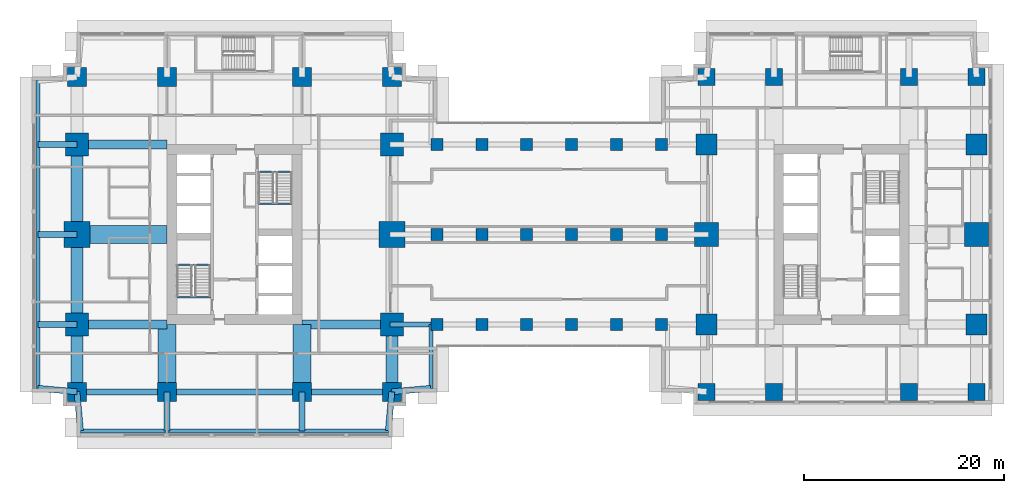
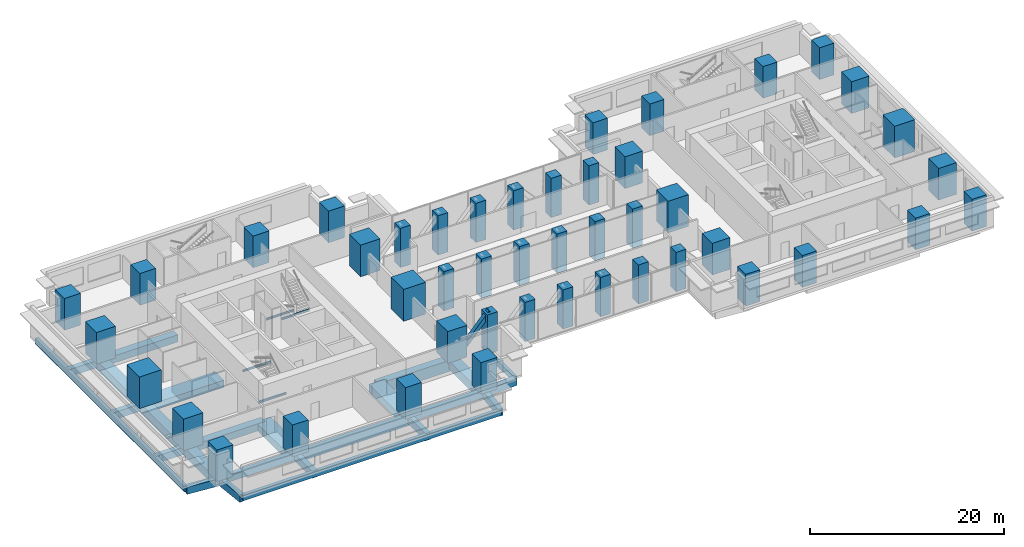
# One storey, part 1 of 15: 46 columns, 28 beams, 2 members.
"""IFC4 building model written with IfcOpenShell, lengths in metres."""

from ifc_helpers import new_model, si_unit, direction, frame, origin, origin_2d, place, context, subcontext, project, spatial, rectangle, hollow_rectangle, i_section, extrude, material, material_profile, profile_set, type_object, element, save


model = new_model("IFC4")

# Units and contexts
model_context = context("Model", 3, precision=1e-05, world=origin(), true_north=direction((0.0, 1.0)))
body_context = subcontext(model_context, "Body", "Model", "MODEL_VIEW")
ifc_project = project(units=[si_unit("LENGTHUNIT", "METRE"), si_unit("AREAUNIT", "SQUARE_METRE"), si_unit("VOLUMEUNIT", "CUBIC_METRE"), si_unit("PLANEANGLEUNIT", "RADIAN"), si_unit("MASSUNIT", "GRAM", prefix="KILO")], contexts=[model_context])

# Site, building, storey
site_placement = place(None, origin())
site = spatial("IfcSite", under=ifc_project, at=site_placement, CompositionType="ELEMENT")
building_placement = place(site_placement, origin())
building = spatial("IfcBuilding", under=site, at=building_placement, Name="Namib Vertical Campus", CompositionType="ELEMENT")
storey_placement = place(building_placement, frame((0.0, 0.0, 109.0)))
storey = spatial("IfcBuildingStorey", under=building, at=storey_placement, Name="L25", CompositionType="ELEMENT", Elevation=109.0)

# Columns
ifc_material_1 = material(Name="Concrete C60/75", Category="concrete")
ifc_material_profile_1 = material_profile(ifc_material_1, rectangle(XDim=1.199951171875, YDim=1.199951171875, at=origin_2d()))
ifc_profile_set_1 = profile_set([ifc_material_profile_1], Name="Concrete C60/75")
column_type_1 = type_object("IfcColumnType", Name="Bridge column RC 1200x1200", PredefinedType="COLUMN", material=ifc_profile_set_1)
for number, where, z_axis, x_axis, name in (
    (1, (40.5, 11.25, -0.949951171875), (0.0, 0.0, 1.0), (1.0, 0.0, 0.0), "Column BC6 L25"),
    (2, (45.0, 11.25, -0.949951171875), (0.0, 0.0, 1.0), (1.0, 0.0, 0.0), "Column BC6 L25"),
    (3, (49.5, 11.25, -0.949951171875), (0.0, 0.0, 1.0), (1.0, 0.0, 0.0), "Column BC6 L25"),
    (4, (54.0, 11.25, -0.949951171875), (0.0, 0.0, 1.0), (1.0, 0.0, 0.0), "Column BC6 L25"),
    (5, (58.5, 11.25, -0.949951171875), (0.0, 0.0, 1.0), (1.0, 0.0, 0.0), "Column BC6 L25"),
    (6, (63.0, 11.25, -0.949951171875), (0.0, 0.0, 1.0), (1.0, 0.0, 0.0), "Column BC6 L25"),
    (7, (40.5, 20.25, -0.949951171875), (0.0, 0.0, 1.0), (1.0, 0.0, 0.0), "Column BC6 L25"),
    (8, (45.0, 20.25, -0.949951171875), (0.0, 0.0, 1.0), (1.0, 0.0, 0.0), "Column BC6 L25"),
    (9, (49.5, 20.25, -0.949951171875), (0.0, 0.0, 1.0), (1.0, 0.0, 0.0), "Column BC6 L25"),
    (10, (54.0, 20.25, -0.949951171875), (0.0, 0.0, 1.0), (1.0, 0.0, 0.0), "Column BC6 L25"),
    (11, (58.5, 20.25, -0.949951171875), (0.0, 0.0, 1.0), (1.0, 0.0, 0.0), "Column BC6 L25"),
    (12, (63.0, 20.25, -0.949951171875), (0.0, 0.0, 1.0), (1.0, 0.0, 0.0), "Column BC6 L25"),
    (13, (40.5, 29.25, -0.949951171875), (0.0, 0.0, 1.0), (1.0, 0.0, 0.0), "Column BC6 L25"),
    (14, (45.0, 29.25, -0.949951171875), (0.0, 0.0, 1.0), (1.0, 0.0, 0.0), "Column BC6 L25"),
    (15, (49.5, 29.25, -0.949951171875), (0.0, 0.0, 1.0), (1.0, 0.0, 0.0), "Column BC6 L25"),
    (16, (54.0, 29.25, -0.949951171875), (0.0, 0.0, 1.0), (1.0, 0.0, 0.0), "Column BC6 L25"),
    (17, (58.5, 29.25, -0.949951171875), (0.0, 0.0, 1.0), (1.0, 0.0, 0.0), "Column BC6 L25"),
    (18, (63.0, 29.25, -0.949951171875), (0.0, 0.0, 1.0), (1.0, 0.0, 0.0), "Column BC6 L25"),
):
    element("IfcColumn", number, at=place(storey_placement, frame(where, z_axis=z_axis, x_axis=x_axis)), inside=storey, type_object=column_type_1, Name=name, PredefinedType="COLUMN", context=body_context, shape_type="SweptSolid", body=[
        extrude(rectangle(XDim=1.199951171875, YDim=1.199951171875, at=origin_2d()), origin(), (0.0, 0.0, 1.0), 4.949951171875),
    ])
ifc_material_2 = material(Name="Concrete C60/75", Category="concrete")
ifc_material_profile_2 = material_profile(ifc_material_2, rectangle(XDim=1.699951171875, YDim=1.699951171875, at=origin_2d()))
ifc_profile_set_2 = profile_set([ifc_material_profile_2], Name="Concrete C60/75")
column_type_2 = type_object("IfcColumnType", Name="Column RC 1700x1700", PredefinedType="COLUMN", material=ifc_profile_set_2)
for number, where, z_axis, x_axis, name in (
    (19, (67.5, 4.5, 0.0), (0.0, 0.0, 1.0), (1.0, 0.0, 0.0), "Column C170 L25"),
    (20, (74.25, 4.5, 0.0), (0.0, 0.0, 1.0), (1.0, 0.0, 0.0), "Column C170 L25"),
    (21, (87.75, 4.5, 0.0), (0.0, 0.0, 1.0), (1.0, 0.0, 0.0), "Column C170 L25"),
    (22, (94.5, 4.5, 0.0), (0.0, 0.0, 1.0), (1.0, 0.0, 0.0), "Column C170 L25"),
    (23, (67.5, 36.0, 0.0), (0.0, 0.0, 1.0), (1.0, 0.0, 0.0), "Column C170 L25"),
    (24, (74.25, 36.0, 0.0), (0.0, 0.0, 1.0), (1.0, 0.0, 0.0), "Column C170 L25"),
    (25, (87.75, 36.0, 0.0), (0.0, 0.0, 1.0), (1.0, 0.0, 0.0), "Column C170 L25"),
    (26, (94.5, 36.0, 0.0), (0.0, 0.0, 1.0), (1.0, 0.0, 0.0), "Column C170 L25"),
):
    element("IfcColumn", number, at=place(storey_placement, frame(where, z_axis=z_axis, x_axis=x_axis)), inside=storey, type_object=column_type_2, Name=name, PredefinedType="COLUMN", context=body_context, shape_type="SweptSolid", body=[
        extrude(rectangle(XDim=1.699951171875, YDim=1.699951171875, at=origin_2d()), origin(), (0.0, 0.0, 1.0), 4.0),
    ])
ifc_material_3 = material(Name="Concrete C60/75", Category="concrete")
ifc_material_profile_3 = material_profile(ifc_material_3, rectangle(XDim=1.89990234375, YDim=1.89990234375, at=origin_2d()))
ifc_profile_set_3 = profile_set([ifc_material_profile_3], Name="Concrete C60/75")
column_type_3 = type_object("IfcColumnType", Name="Column RC 1900x1900", PredefinedType="COLUMN", material=ifc_profile_set_3)
for number, where, z_axis, x_axis, name in (
    (27, (4.5, 4.5, 0.0), (0.0, 0.0, 1.0), (1.0, 0.0, 0.0), "Column C190 L25"),
    (28, (13.5, 4.5, 0.0), (0.0, 0.0, 1.0), (1.0, 0.0, 0.0), "Column C190 L25"),
    (29, (27.0, 4.5, 0.0), (0.0, 0.0, 1.0), (1.0, 0.0, 0.0), "Column C190 L25"),
    (30, (36.0, 4.5, 0.0), (0.0, 0.0, 1.0), (1.0, 0.0, 0.0), "Column C190 L25"),
    (31, (4.5, 36.0, 0.0), (0.0, 0.0, 1.0), (1.0, 0.0, 0.0), "Column C190 L25"),
    (32, (13.5, 36.0, 0.0), (0.0, 0.0, 1.0), (1.0, 0.0, 0.0), "Column C190 L25"),
    (33, (27.0, 36.0, 0.0), (0.0, 0.0, 1.0), (1.0, 0.0, 0.0), "Column C190 L25"),
    (34, (36.0, 36.0, 0.0), (0.0, 0.0, 1.0), (1.0, 0.0, 0.0), "Column C190 L25"),
):
    element("IfcColumn", number, at=place(storey_placement, frame(where, z_axis=z_axis, x_axis=x_axis)), inside=storey, type_object=column_type_3, Name=name, PredefinedType="COLUMN", context=body_context, shape_type="SweptSolid", body=[
        extrude(rectangle(XDim=1.89990234375, YDim=1.89990234375, at=origin_2d()), origin(), (0.0, 0.0, 1.0), 4.0),
    ])
ifc_material_4 = material(Name="Concrete C60/75", Category="concrete")
ifc_material_profile_4 = material_profile(ifc_material_4, rectangle(XDim=2.10009765625, YDim=2.10009765625, at=origin_2d()))
ifc_profile_set_4 = profile_set([ifc_material_profile_4], Name="Concrete C60/75")
column_type_4 = type_object("IfcColumnType", Name="Column RC 2100x2100", PredefinedType="COLUMN", material=ifc_profile_set_4)
for number, where, z_axis, x_axis, name in (
    (35, (67.5, 11.25, 0.0), (0.0, 0.0, 1.0), (1.0, 0.0, 0.0), "Column C210 L25"),
    (36, (94.5, 11.25, 0.0), (0.0, 0.0, 1.0), (1.0, 0.0, 0.0), "Column C210 L25"),
    (37, (67.5, 29.25, 0.0), (0.0, 0.0, 1.0), (1.0, 0.0, 0.0), "Column C210 L25"),
    (38, (94.5, 29.25, 0.0), (0.0, 0.0, 1.0), (1.0, 0.0, 0.0), "Column C210 L25"),
):
    element("IfcColumn", number, at=place(storey_placement, frame(where, z_axis=z_axis, x_axis=x_axis)), inside=storey, type_object=column_type_4, Name=name, PredefinedType="COLUMN", context=body_context, shape_type="SweptSolid", body=[
        extrude(rectangle(XDim=2.10009765625, YDim=2.10009765625, at=origin_2d()), origin(), (0.0, 0.0, 1.0), 4.0),
    ])
ifc_material_5 = material(Name="Concrete C60/75", Category="concrete")
ifc_material_profile_5 = material_profile(ifc_material_5, rectangle(XDim=2.300048828125, YDim=2.300048828125, at=origin_2d()))
ifc_profile_set_5 = profile_set([ifc_material_profile_5], Name="Concrete C60/75")
column_type_5 = type_object("IfcColumnType", Name="Column RC 2300x2300", PredefinedType="COLUMN", material=ifc_profile_set_5)
for number, where, z_axis, x_axis, name in (
    (39, (4.5, 11.25, 0.0), (0.0, 0.0, 1.0), (1.0, 0.0, 0.0), "Column C230 L25"),
    (40, (36.0, 11.25, 0.0), (0.0, 0.0, 1.0), (1.0, 0.0, 0.0), "Column C230 L25"),
    (41, (4.5, 29.25, 0.0), (0.0, 0.0, 1.0), (1.0, 0.0, 0.0), "Column C230 L25"),
    (42, (36.0, 29.25, 0.0), (0.0, 0.0, 1.0), (1.0, 0.0, 0.0), "Column C230 L25"),
):
    element("IfcColumn", number, at=place(storey_placement, frame(where, z_axis=z_axis, x_axis=x_axis)), inside=storey, type_object=column_type_5, Name=name, PredefinedType="COLUMN", context=body_context, shape_type="SweptSolid", body=[
        extrude(rectangle(XDim=2.300048828125, YDim=2.300048828125, at=origin_2d()), origin(), (0.0, 0.0, 1.0), 4.0),
    ])
ifc_material_6 = material(Name="Concrete C60/75", Category="concrete")
ifc_material_profile_6 = material_profile(ifc_material_6, rectangle(XDim=2.39990234375, YDim=2.39990234375, at=origin_2d()))
ifc_profile_set_6 = profile_set([ifc_material_profile_6], Name="Concrete C60/75")
column_type_6 = type_object("IfcColumnType", Name="Column RC 2400x2400", PredefinedType="COLUMN", material=ifc_profile_set_6)
for number, where, z_axis, x_axis, name in (
    (43, (67.5, 20.25, 0.0), (0.0, 0.0, 1.0), (1.0, 0.0, 0.0), "Column C240 L25"),
    (44, (94.5, 20.25, 0.0), (0.0, 0.0, 1.0), (1.0, 0.0, 0.0), "Column C240 L25"),
):
    element("IfcColumn", number, at=place(storey_placement, frame(where, z_axis=z_axis, x_axis=x_axis)), inside=storey, type_object=column_type_6, Name=name, PredefinedType="COLUMN", context=body_context, shape_type="SweptSolid", body=[
        extrude(rectangle(XDim=2.39990234375, YDim=2.39990234375, at=origin_2d()), origin(), (0.0, 0.0, 1.0), 4.0),
    ])
ifc_material_7 = material(Name="Concrete C60/75", Category="concrete")
ifc_material_profile_7 = material_profile(ifc_material_7, rectangle(XDim=2.60009765625, YDim=2.60009765625, at=origin_2d()))
ifc_profile_set_7 = profile_set([ifc_material_profile_7], Name="Concrete C60/75")
column_type_7 = type_object("IfcColumnType", Name="Column RC 2600x2600", PredefinedType="COLUMN", material=ifc_profile_set_7)
for number, where, z_axis, x_axis, name in (
    (45, (4.5, 20.25, 0.0), (0.0, 0.0, 1.0), (1.0, 0.0, 0.0), "Column C260 L25"),
    (46, (36.0, 20.25, 0.0), (0.0, 0.0, 1.0), (1.0, 0.0, 0.0), "Column C260 L25"),
):
    element("IfcColumn", number, at=place(storey_placement, frame(where, z_axis=z_axis, x_axis=x_axis)), inside=storey, type_object=column_type_7, Name=name, PredefinedType="COLUMN", context=body_context, shape_type="SweptSolid", body=[
        extrude(rectangle(XDim=2.60009765625, YDim=2.60009765625, at=origin_2d()), origin(), (0.0, 0.0, 1.0), 4.0),
    ])

# Member
ifc_material_8 = material(Name="Steel S355JR", Category="steel")
ifc_material_profile_8 = material_profile(ifc_material_8, hollow_rectangle(XDim=0.5, YDim=0.5, WallThickness=0.031982421875, at=origin_2d()))
ifc_profile_set_8 = profile_set([ifc_material_profile_8], Name="Steel S355JR")
member_type_1 = type_object("IfcMemberType", Name="Bridge end brace WB 500x500x32", PredefinedType="BRACE", material=ifc_profile_set_8)
member_1_placement = place(storey_placement, frame((36.0, 11.25, -0.949951171875), z_axis=(0.672676426978, 0.0, 0.739936770669), x_axis=(0.0, 1.0, 0.0)))
element("IfcMember", 47, at=member_1_placement, inside=storey, type_object=member_type_1, Name="Bridge brace BX1 L25 T1 bay 1", PredefinedType="BRACE", context=body_context, shape_type="SweptSolid", body=[
    extrude(hollow_rectangle(XDim=0.5, YDim=0.5, WallThickness=0.031982421875, at=origin_2d()), origin(), (0.0, 0.0, 1.0), 6.689697265625),
])

# Beams
ifc_material_9 = material(Name="Concrete C40/50", Category="concrete")
ifc_material_profile_9 = material_profile(ifc_material_9, rectangle(XDim=0.60009765625, YDim=0.89990234375, at=origin_2d()))
ifc_profile_set_9 = profile_set([ifc_material_profile_9], Name="Concrete C40/50")
beam_type_1 = type_object("IfcBeamType", Name="Cantilever girder RC 600x900", PredefinedType="BEAM", material=ifc_profile_set_9)
beam_1_placement = place(storey_placement, frame((4.5, 4.5, -0.699951171875), z_axis=(0.089411326146, -0.995994786511, 0.0), x_axis=(0.995994786511, 0.089411326146, 0.0)))
element("IfcBeam", 48, at=beam_1_placement, inside=storey, type_object=beam_type_1, Name="Beam B3 L25", PredefinedType="BEAM", context=body_context, shape_type="SweptSolid", body=[
    extrude(rectangle(XDim=0.60009765625, YDim=0.89990234375, at=origin_2d()), origin(), (0.0, 0.0, 1.0), 3.91552734375),
])
for number, where, z_axis, x_axis, name in (
    (49, (13.5, 4.5, -0.699951171875), (0.0, -1.0, 0.0), (1.0, 0.0, 0.0), "Beam B3 L25"),
    (50, (27.0, 4.5, -0.699951171875), (0.0, -1.0, 0.0), (1.0, 0.0, 0.0), "Beam B3 L25"),
):
    element("IfcBeam", number, at=place(storey_placement, frame(where, z_axis=z_axis, x_axis=x_axis)), inside=storey, type_object=beam_type_1, Name=name, PredefinedType="BEAM", context=body_context, shape_type="SweptSolid", body=[
        extrude(rectangle(XDim=0.60009765625, YDim=0.89990234375, at=origin_2d()), origin(), (0.0, 0.0, 1.0), 3.89990234375),
    ])
for number, where, z_axis, x_axis, name in (
    (51, (36.0, 4.5, -0.699951171875), (-0.089411326146, -0.995994786511, 0.0), (0.995994786511, -0.089411326146, 0.0), "Beam B3 L25"),
    (52, (4.5, 4.5, -0.699951171875), (-0.995994786511, 0.089411326146, 0.0), (-0.089411326146, -0.995994786511, 0.0), "Beam B3 L25"),
):
    element("IfcBeam", number, at=place(storey_placement, frame(where, z_axis=z_axis, x_axis=x_axis)), inside=storey, type_object=beam_type_1, Name=name, PredefinedType="BEAM", context=body_context, shape_type="SweptSolid", body=[
        extrude(rectangle(XDim=0.60009765625, YDim=0.89990234375, at=origin_2d()), origin(), (0.0, 0.0, 1.0), 3.91552734375),
    ])
for number, where, z_axis, x_axis, name in (
    (53, (4.5, 11.25, -0.699951171875), (-1.0, 0.0, 0.0), (0.0, -1.0, 0.0), "Beam B3 L25"),
    (54, (4.5, 20.25, -0.699951171875), (-1.0, 0.0, 0.0), (0.0, -1.0, 0.0), "Beam B3 L25"),
    (55, (4.5, 29.25, -0.699951171875), (-1.0, 0.0, 0.0), (0.0, -1.0, 0.0), "Beam B3 L25"),
):
    element("IfcBeam", number, at=place(storey_placement, frame(where, z_axis=z_axis, x_axis=x_axis)), inside=storey, type_object=beam_type_1, Name=name, PredefinedType="BEAM", context=body_context, shape_type="SweptSolid", body=[
        extrude(rectangle(XDim=0.60009765625, YDim=0.89990234375, at=origin_2d()), origin(), (0.0, 0.0, 1.0), 3.89990234375),
    ])
beam_2_placement = place(storey_placement, frame((36.0, 4.5, -0.699951171875), z_axis=(0.995994786511, 0.089411326146, 0.0), x_axis=(-0.089411326146, 0.995994786511, 0.0)))
element("IfcBeam", 56, at=beam_2_placement, inside=storey, type_object=beam_type_1, Name="Beam B3 L25", PredefinedType="BEAM", context=body_context, shape_type="SweptSolid", body=[
    extrude(rectangle(XDim=0.60009765625, YDim=0.89990234375, at=origin_2d()), origin(), (0.0, 0.0, 1.0), 3.91552734375),
])
ifc_material_10 = material(Name="Concrete C40/50", Category="concrete")
ifc_material_profile_10 = material_profile(ifc_material_10, rectangle(XDim=0.39990234375, YDim=0.699951171875, at=origin_2d()))
ifc_profile_set_10 = profile_set([ifc_material_profile_10], Name="Concrete C40/50")
beam_type_2 = type_object("IfcBeamType", Name="Edge beam RC 400x700", PredefinedType="SPANDREL", material=ifc_profile_set_10)
for number, where, z_axis, x_axis, name in (
    (57, (4.85009765625, 0.60009765625, -0.60009765625), (1.0, 0.0, 0.0), (0.0, 1.0, 0.0), "Beam B4 L25"),
    (58, (0.60009765625, 4.85009765625, -0.60009765625), (0.0, 1.0, 0.0), (-1.0, 0.0, 0.0), "Beam B4 L25"),
):
    element("IfcBeam", number, at=place(storey_placement, frame(where, z_axis=z_axis, x_axis=x_axis)), inside=storey, type_object=beam_type_2, Name=name, PredefinedType="SPANDREL", context=body_context, shape_type="SweptSolid", body=[
        extrude(rectangle(XDim=0.39990234375, YDim=0.699951171875, at=origin_2d()), origin(), (0.0, 0.0, 1.0), 30.7998046875),
    ])
beam_3_placement = place(storey_placement, frame((39.89990234375, 4.85009765625, -0.60009765625), z_axis=(0.0, 1.0, 0.0), x_axis=(-1.0, 0.0, 0.0)))
element("IfcBeam", 59, at=beam_3_placement, inside=storey, type_object=beam_type_2, Name="Beam B4 L25", PredefinedType="SPANDREL", context=body_context, shape_type="SweptSolid", body=[
    extrude(rectangle(XDim=0.39990234375, YDim=0.699951171875, at=origin_2d()), origin(), (0.0, 0.0, 1.0), 6.39990234375),
])
ifc_material_11 = material(Name="Concrete C40/50", Category="concrete")
ifc_material_profile_11 = material_profile(ifc_material_11, rectangle(XDim=0.89990234375, YDim=0.89990234375, at=origin_2d()))
ifc_profile_set_11 = profile_set([ifc_material_profile_11], Name="Concrete C40/50")
beam_type_3 = type_object("IfcBeamType", Name="Face girder RC 900x900", PredefinedType="BEAM", material=ifc_profile_set_11)
for number, where, z_axis, x_axis, name in (
    (60, (4.5, 11.25, -0.699951171875), (1.0, 0.0, 0.0), (0.0, 1.0, 0.0), "Beam B10 L25"),
    (61, (4.5, 29.25, -0.699951171875), (1.0, 0.0, 0.0), (0.0, 1.0, 0.0), "Beam B10 L25"),
):
    element("IfcBeam", number, at=place(storey_placement, frame(where, z_axis=z_axis, x_axis=x_axis)), inside=storey, type_object=beam_type_3, Name=name, PredefinedType="BEAM", context=body_context, shape_type="SweptSolid", body=[
        extrude(rectangle(XDim=0.89990234375, YDim=0.89990234375, at=origin_2d()), origin(), (0.0, 0.0, 1.0), 9.0),
    ])
ifc_material_12 = material(Name="Concrete C40/50", Category="concrete")
ifc_material_profile_12 = material_profile(ifc_material_12, rectangle(XDim=1.199951171875, YDim=1.10009765625, at=origin_2d()))
ifc_profile_set_12 = profile_set([ifc_material_profile_12], Name="Concrete C40/50")
beam_type_4 = type_object("IfcBeamType", Name="Face ring beam RC 1200x1100", PredefinedType="BEAM", material=ifc_profile_set_12)
beam_4_placement = place(storey_placement, frame((4.5, 4.5, -0.800048828125), z_axis=(0.0, 1.0, 0.0), x_axis=(-1.0, 0.0, 0.0)))
element("IfcBeam", 62, at=beam_4_placement, inside=storey, type_object=beam_type_4, Name="Beam B11 L25", PredefinedType="BEAM", context=body_context, shape_type="SweptSolid", body=[
    extrude(rectangle(XDim=1.199951171875, YDim=1.10009765625, at=origin_2d()), origin(), (0.0, 0.0, 1.0), 6.75),
])
for number, where, z_axis, x_axis, name in (
    (63, (4.5, 11.25, -0.800048828125), (0.0, 1.0, 0.0), (-1.0, 0.0, 0.0), "Beam B11 L25"),
    (64, (4.5, 20.25, -0.800048828125), (0.0, 1.0, 0.0), (-1.0, 0.0, 0.0), "Beam B11 L25"),
):
    element("IfcBeam", number, at=place(storey_placement, frame(where, z_axis=z_axis, x_axis=x_axis)), inside=storey, type_object=beam_type_4, Name=name, PredefinedType="BEAM", context=body_context, shape_type="SweptSolid", body=[
        extrude(rectangle(XDim=1.199951171875, YDim=1.10009765625, at=origin_2d()), origin(), (0.0, 0.0, 1.0), 9.0),
    ])
beam_5_placement = place(storey_placement, frame((36.0, 4.5, -0.800048828125), z_axis=(0.0, 1.0, 0.0), x_axis=(-1.0, 0.0, 0.0)))
element("IfcBeam", 65, at=beam_5_placement, inside=storey, type_object=beam_type_4, Name="Beam B11 L25", PredefinedType="BEAM", context=body_context, shape_type="SweptSolid", body=[
    extrude(rectangle(XDim=1.199951171875, YDim=1.10009765625, at=origin_2d()), origin(), (0.0, 0.0, 1.0), 6.75),
])
ifc_material_13 = material(Name="Steel S355JR", Category="steel")
ifc_material_profile_13 = material_profile(ifc_material_13, i_section(OverallWidth=0.14599609375, OverallDepth=0.25146484375, WebThickness=0.006103515625, FlangeThickness=0.008544921875, FilletRadius=0.007568359375, at=origin_2d()))
ifc_profile_set_13 = profile_set([ifc_material_profile_13], Name="Steel S355JR")
beam_type_5 = type_object("IfcBeamType", Name="Landing trimmer UB 254x146x31", PredefinedType="BEAM", material=ifc_profile_set_13)
for number, where, z_axis, x_axis, name in (
    (66, (14.5, 13.97705078125, -0.125732421875), (1.0, 0.0, 0.0), (0.0, 1.0, 0.0), "Landing trimmer LT1 A-S1 L25 1"),
    (67, (14.5, 17.203125, 1.874267578125), (1.0, 0.0, 0.0), (0.0, 1.0, 0.0), "Landing trimmer LT1 A-S1 L25 2"),
    (68, (22.64990234375, 26.52294921875, -0.125732421875), (1.0, 0.0, 0.0), (0.0, 1.0, 0.0), "Landing trimmer LT1 A-S2 L25 1"),
    (69, (22.64990234375, 23.296875, 1.874267578125), (1.0, 0.0, 0.0), (0.0, 1.0, 0.0), "Landing trimmer LT1 A-S2 L25 2"),
):
    element("IfcBeam", number, at=place(storey_placement, frame(where, z_axis=z_axis, x_axis=x_axis)), inside=storey, type_object=beam_type_5, Name=name, PredefinedType="BEAM", context=body_context, shape_type="SweptSolid", body=[
        extrude(i_section(OverallWidth=0.14599609375, OverallDepth=0.25146484375, WebThickness=0.006103515625, FlangeThickness=0.008544921875, FilletRadius=0.007568359375, at=origin_2d()), origin(), (0.0, 0.0, 1.0), 3.35009765625),
    ])
ifc_material_14 = material(Name="Concrete C40/50", Category="concrete")
ifc_material_profile_14 = material_profile(ifc_material_14, rectangle(XDim=0.60009765625, YDim=1.199951171875, at=origin_2d()))
ifc_profile_set_14 = profile_set([ifc_material_profile_14], Name="Concrete C40/50")
beam_type_6 = type_object("IfcBeamType", Name="Long-span ring beam RC 600x1200", PredefinedType="BEAM", material=ifc_profile_set_14)
beam_6_placement = place(storey_placement, frame((13.5, 4.5, -0.85009765625), z_axis=(1.0, 0.0, 0.0), x_axis=(0.0, 1.0, 0.0)))
element("IfcBeam", 70, at=beam_6_placement, inside=storey, type_object=beam_type_6, Name="Beam B9 L25", PredefinedType="BEAM", context=body_context, shape_type="SweptSolid", body=[
    extrude(rectangle(XDim=0.60009765625, YDim=1.199951171875, at=origin_2d()), origin(), (0.0, 0.0, 1.0), 13.5),
])
ifc_material_15 = material(Name="Concrete C40/50", Category="concrete")
ifc_material_profile_15 = material_profile(ifc_material_15, rectangle(XDim=1.800048828125, YDim=0.89990234375, at=origin_2d()))
ifc_profile_set_15 = profile_set([ifc_material_profile_15], Name="Concrete C40/50")
beam_type_7 = type_object("IfcBeamType", Name="Outrigger line girder RC 1800x900", PredefinedType="BEAM", material=ifc_profile_set_15)
for number, where, z_axis, x_axis, name in (
    (71, (13.5, 4.5, -0.699951171875), (0.0, 1.0, 0.0), (-1.0, 0.0, 0.0), "Beam B12 L25"),
    (72, (27.0, 4.5, -0.699951171875), (0.0, 1.0, 0.0), (-1.0, 0.0, 0.0), "Beam B12 L25"),
):
    element("IfcBeam", number, at=place(storey_placement, frame(where, z_axis=z_axis, x_axis=x_axis)), inside=storey, type_object=beam_type_7, Name=name, PredefinedType="BEAM", context=body_context, shape_type="SweptSolid", body=[
        extrude(rectangle(XDim=1.800048828125, YDim=0.89990234375, at=origin_2d()), origin(), (0.0, 0.0, 1.0), 6.75),
    ])
beam_7_placement = place(storey_placement, frame((4.5, 20.25, -0.699951171875), z_axis=(1.0, 0.0, 0.0), x_axis=(0.0, 1.0, 0.0)))
element("IfcBeam", 73, at=beam_7_placement, inside=storey, type_object=beam_type_7, Name="Beam B12 L25", PredefinedType="BEAM", context=body_context, shape_type="SweptSolid", body=[
    extrude(rectangle(XDim=1.800048828125, YDim=0.89990234375, at=origin_2d()), origin(), (0.0, 0.0, 1.0), 9.0),
])
ifc_material_16 = material(Name="Concrete C40/50", Category="concrete")
ifc_material_profile_16 = material_profile(ifc_material_16, rectangle(XDim=0.60009765625, YDim=0.800048828125, at=origin_2d()))
ifc_profile_set_16 = profile_set([ifc_material_profile_16], Name="Concrete C40/50")
beam_type_8 = type_object("IfcBeamType", Name="Ring beam RC 600x800", PredefinedType="BEAM", material=ifc_profile_set_16)
for number, where, z_axis, x_axis, name in (
    (74, (4.5, 4.5, -0.64990234375), (1.0, 0.0, 0.0), (0.0, 1.0, 0.0), "Beam B1 L25"),
    (75, (27.0, 4.5, -0.64990234375), (1.0, 0.0, 0.0), (0.0, 1.0, 0.0), "Beam B1 L25"),
):
    element("IfcBeam", number, at=place(storey_placement, frame(where, z_axis=z_axis, x_axis=x_axis)), inside=storey, type_object=beam_type_8, Name=name, PredefinedType="BEAM", context=body_context, shape_type="SweptSolid", body=[
        extrude(rectangle(XDim=0.60009765625, YDim=0.800048828125, at=origin_2d()), origin(), (0.0, 0.0, 1.0), 9.0),
    ])

# Member
ifc_material_17 = material(Name="Steel S355JR", Category="steel")
ifc_material_profile_17 = material_profile(ifc_material_17, hollow_rectangle(XDim=0.89990234375, YDim=1.39990234375, WallThickness=0.070068359375, at=origin_2d()))
ifc_profile_set_17 = profile_set([ifc_material_profile_17], Name="Steel S355JR")
member_type_2 = type_object("IfcMemberType", Name="Truss chord WB 1400x900x70", PredefinedType="CHORD", material=ifc_profile_set_17)
member_2_placement = place(storey_placement, frame((36.0, 11.25, -0.949951171875), z_axis=(-1.0, 0.0, 0.0), x_axis=(0.0, -1.0, 0.0)))
element("IfcMember", 76, at=member_2_placement, inside=storey, type_object=member_type_2, Name="Transfer truss T1 anchor chord A top", PredefinedType="CHORD", context=body_context, shape_type="SweptSolid", body=[
    extrude(hollow_rectangle(XDim=0.89990234375, YDim=1.39990234375, WallThickness=0.070068359375, at=origin_2d()), origin(), (0.0, 0.0, 1.0), 9.0),
])

save(model, "model.ifc")
